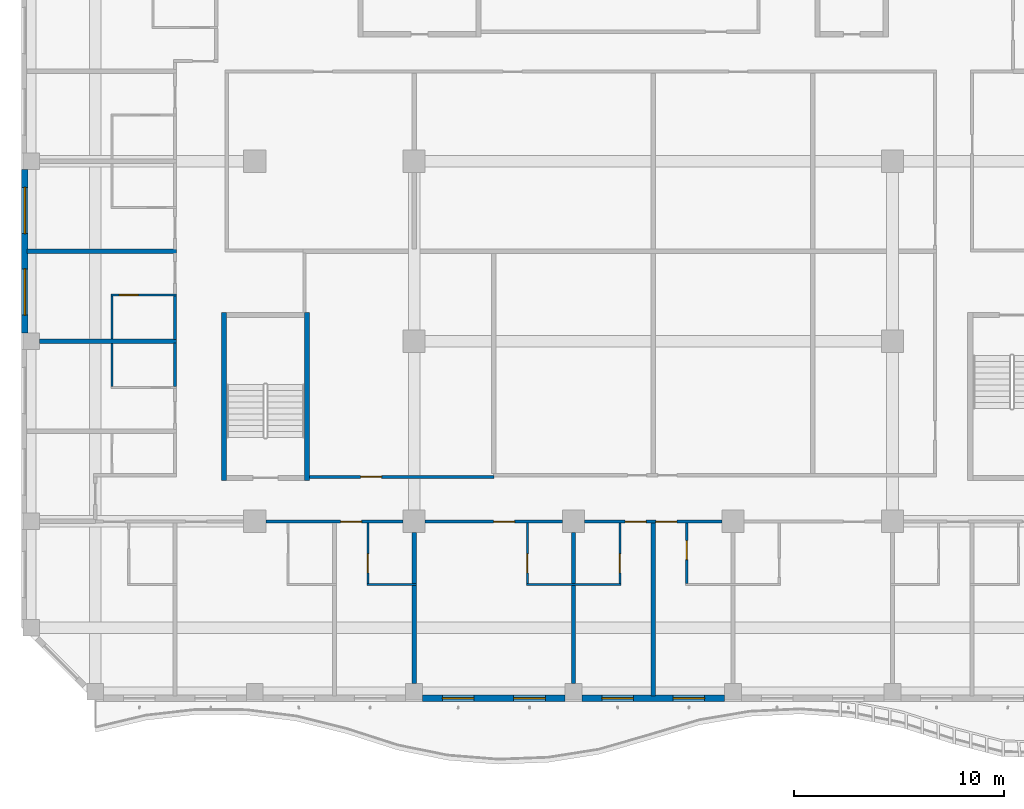
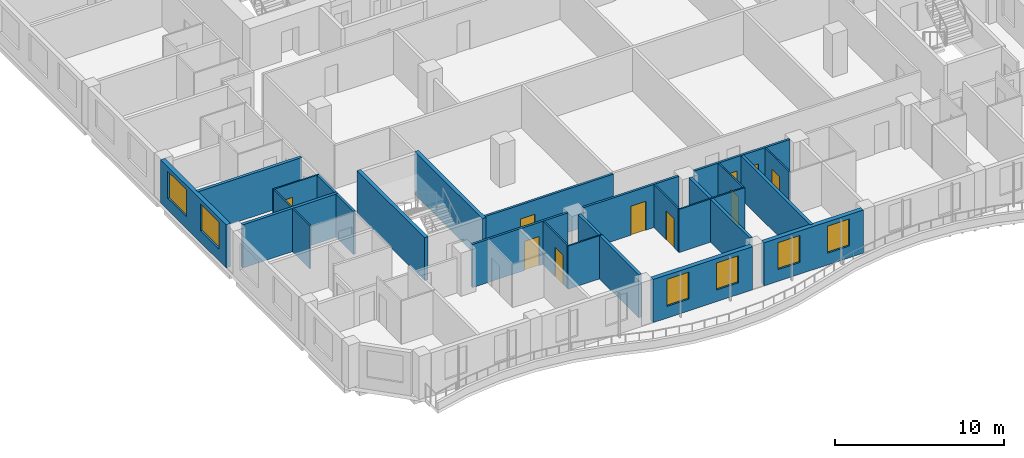
# One storey, part 3 of 23: 27 walls, 10 doors, 6 windows, 16 openings.
"""IFC4 building model written with IfcOpenShell, lengths in metres."""

import ifcopenshell
import ifcopenshell.guid

model = None  # the IFC model being written
_history = None  # IfcOwnerHistory: only IFC2X3 demands one
_inside = {}  # id of a spatial element -> (the spatial element, [elements in it])
_under = {}  # id of a project, library or spatial element -> (it, [spatial elements below it])
_declared = {}  # id of a project -> (the project, [libraries it declares])
_typed = {}  # id of a type object -> (the type object, [elements of that type])
_made_of = {}  # id of a material, layer set ... -> (it, [elements and type objects made of it])


def new_model(schema):
    """Start an empty IFC model of exactly this schema.

    Asked for "IFC4X3", IfcOpenShell would pick the latest addendum, in which some entities
    have other attributes; the version numbers below select the first issue.
    IFC2X3 requires an IfcOwnerHistory on every rooted entity: one is made here for all.
    """
    global model, _history
    if schema == "IFC4X3":
        model = ifcopenshell.file(schema_version=(4, 3, 0, 0))
    else:
        model = ifcopenshell.file(schema=schema)
    _inside.clear()
    _under.clear()
    _declared.clear()
    _typed.clear()
    _made_of.clear()
    _history = None
    if model.schema == "IFC2X3":
        org = make("IfcOrganization", Name="unknown")
        user = make(
            "IfcPersonAndOrganization",
            ThePerson=make("IfcPerson", FamilyName="unknown"),
            TheOrganization=org,
        )
        app = make(
            "IfcApplication",
            ApplicationDeveloper=org,
            Version="unknown",
            ApplicationFullName="unknown",
            ApplicationIdentifier="unknown",
        )
        _history = make(
            "IfcOwnerHistory",
            OwningUser=user,
            OwningApplication=app,
            ChangeAction="ADDED",
            CreationDate=0,
        )
    return model


def make(cls, **values):
    """One entity of the class cls with the attributes given. An attribute that is None is left unset."""
    return model.create_entity(
        cls, **{name: value for name, value in values.items() if value is not None}
    )


def rooted(cls, **values):
    """An entity with a GlobalId (a new one), such as an element, a storey or a relation."""
    return make(cls, GlobalId=ifcopenshell.guid.new(), OwnerHistory=_history, **values)


def si_unit(unit_type, name, prefix=None):
    """IfcSIUnit, for example si_unit("LENGTHUNIT", "METRE", prefix="MILLI")."""
    return make("IfcSIUnit", UnitType=unit_type, Prefix=prefix, Name=name)


def assignment(units):
    """IfcUnitAssignment: the units of a project."""
    return None if units is None else make("IfcUnitAssignment", Units=units)


def point(xyz):
    """IfcCartesianPoint."""
    return None if xyz is None else make("IfcCartesianPoint", Coordinates=xyz)


def direction(xyz):
    """IfcDirection."""
    return None if xyz is None else make("IfcDirection", DirectionRatios=xyz)


def frame(location, z_axis=None, x_axis=None):
    """IfcAxis2Placement3D, a coordinate frame: its origin and axes. An axis left out is left unset."""
    return make(
        "IfcAxis2Placement3D",
        Location=point(location),
        Axis=direction(z_axis),
        RefDirection=direction(x_axis),
    )


def frame_2d(location, x_axis=None):
    """IfcAxis2Placement2D, a coordinate frame in the plane: its origin and x axis."""
    return make(
        "IfcAxis2Placement2D", Location=point(location), RefDirection=direction(x_axis)
    )


def origin():
    """The frame at (0, 0, 0) with its axes left unset."""
    return frame((0.0, 0.0, 0.0))


def place(relative_to, where):
    """IfcLocalPlacement: puts the frame where relative to a parent placement (None: the world)."""
    return make(
        "IfcLocalPlacement", PlacementRelTo=relative_to, RelativePlacement=where
    )


def context(
    kind, dimensions, precision=None, world=None, true_north=None, identifier=None
):
    """IfcGeometricRepresentationContext, for example the 3D "Model" context."""
    return make(
        "IfcGeometricRepresentationContext",
        ContextIdentifier=identifier,
        ContextType=kind,
        CoordinateSpaceDimension=dimensions,
        Precision=precision,
        WorldCoordinateSystem=world,
        TrueNorth=true_north,
    )


def subcontext(parent, identifier, kind, view, scale=None):
    """IfcGeometricRepresentationSubContext, for example "Body" below "Model"."""
    return make(
        "IfcGeometricRepresentationSubContext",
        ContextIdentifier=identifier,
        ContextType=kind,
        ParentContext=parent,
        TargetScale=scale,
        TargetView=view,
    )


def project(units=None, contexts=None):
    """IfcProject with its units and contexts."""
    return rooted(
        "IfcProject",
        Name="project",
        RepresentationContexts=contexts,
        UnitsInContext=assignment(units),
    )


def spatial(cls, under=None, at=None, **own):
    """A site, building, storey or space (cls), placed at a placement, below another one or the project."""
    s = rooted(cls, ObjectPlacement=at, **own)
    if under is not None:
        _under.setdefault(under.id(), (under, []))[1].append(s)
    return s


def profile(cls, at=None, kind="AREA", **sizes):
    """A parametric profile (cls). Its sizes go by their IFC names, for example OverallWidth=200.0."""
    return make(cls, ProfileType=kind, Position=at, **sizes)


def rectangle(**sizes):
    """IfcRectangleProfileDef."""
    return profile("IfcRectangleProfileDef", **sizes)


def extrude(swept, where, along, depth):
    """IfcExtrudedAreaSolid: the profile swept, set in the frame where, extruded along a direction by depth."""
    return make(
        "IfcExtrudedAreaSolid",
        SweptArea=swept,
        Position=where,
        ExtrudedDirection=direction(along),
        Depth=depth,
    )


def shape(context_of_items, identifier, shape_type, items):
    """IfcShapeRepresentation: the items that make up one representation, for example the "Body"."""
    return make(
        "IfcShapeRepresentation",
        ContextOfItems=context_of_items,
        RepresentationIdentifier=identifier,
        RepresentationType=shape_type,
        Items=items,
    )


def source(mapping_origin, context_of_items, identifier, shape_type, items):
    """IfcRepresentationMap: a shape defined once, which mapped items show again and again."""
    return make(
        "IfcRepresentationMap",
        MappingOrigin=mapping_origin,
        MappedRepresentation=shape(context_of_items, identifier, shape_type, items),
    )


def transform(
    local_origin,
    x_axis=None,
    y_axis=None,
    z_axis=None,
    scale=None,
    scale2=None,
    scale3=None,
    uniform=True,
):
    """IfcCartesianTransformationOperator3D, or its non-uniform kind. x_axis, y_axis, z_axis: its Axis1, 2, 3."""
    if uniform:
        return make(
            "IfcCartesianTransformationOperator3D",
            Axis1=direction(x_axis),
            Axis2=direction(y_axis),
            LocalOrigin=point(local_origin),
            Scale=scale,
            Axis3=direction(z_axis),
        )
    return make(
        "IfcCartesianTransformationOperator3DnonUniform",
        Axis1=direction(x_axis),
        Axis2=direction(y_axis),
        LocalOrigin=point(local_origin),
        Scale=scale,
        Axis3=direction(z_axis),
        Scale2=scale2,
        Scale3=scale3,
    )


def mapped(mapping_source, mapping_target):
    """IfcMappedItem: shows the shape of a source again, moved by a transform."""
    return make(
        "IfcMappedItem", MappingSource=mapping_source, MappingTarget=mapping_target
    )


def material(Name=None, Category=None):
    """IfcMaterial."""
    return make("IfcMaterial", Name=Name, Category=Category)


def layer(
    of_material, thickness, ventilated=None, Name=None, Category=None, Priority=None
):
    """IfcMaterialLayer: one layer of a wall or slab, of a material (None: an air gap)."""
    return make(
        "IfcMaterialLayer",
        Material=of_material,
        LayerThickness=thickness,
        IsVentilated=ventilated,
        Name=Name,
        Category=Category,
        Priority=Priority,
    )


def layer_set(layers, Name=None):
    """IfcMaterialLayerSet."""
    return make("IfcMaterialLayerSet", MaterialLayers=layers, LayerSetName=Name)


def made_of(thing, what):
    """Note that an element or type object is made of a material, layer set ...; save() writes the relation."""
    if what is not None:
        _made_of.setdefault(what.id(), (what, []))[1].append(thing)
    return thing


def type_object(cls, material=None, **own):
    """A type object (cls), such as IfcWallType, which elements share."""
    return made_of(rooted(cls, **own), material)


def element(
    cls,
    number,
    at=None,
    inside=None,
    cuts=None,
    type_object=None,
    material=None,
    context=None,
    identifier="Body",
    shape_type=None,
    held_by="IfcProductDefinitionShape",
    body=None,
    shapes=None,
    **own,
):
    """One element of the class cls, such as IfcWall. Its Tag is "e" and its number.

    at: its placement. inside: the storey or other place that contains it. cuts: it is an
    opening in that element (IfcRelVoidsElement). A single representation is given by context,
    identifier, shape_type and body (its items); several are given by shapes. held_by: the class
    of the entity that holds the representations. save() writes the other relations.
    """
    e = rooted(cls, Tag="e%d" % number, ObjectPlacement=at, **own)
    if body is not None:
        shapes = [shape(context, identifier, shape_type, body)]
    if shapes is not None:
        e.Representation = make(held_by, Representations=shapes)
    if inside is not None:
        _inside.setdefault(inside.id(), (inside, []))[1].append(e)
    if cuts is not None:
        rooted(
            "IfcRelVoidsElement", RelatingBuildingElement=cuts, RelatedOpeningElement=e
        )
    if type_object is not None:
        _typed.setdefault(type_object.id(), (type_object, []))[1].append(e)
    return made_of(e, material)


def fill(opening, filler):
    """IfcRelFillsElement: the door or window that sits in an opening."""
    return rooted(
        "IfcRelFillsElement",
        RelatingOpeningElement=opening,
        RelatedBuildingElement=filler,
    )


def aggregate(whole, parts):
    """IfcRelAggregates: a whole, such as a stair, and the parts it consists of."""
    return rooted("IfcRelAggregates", RelatingObject=whole, RelatedObjects=parts)


def save(model, path):
    """Write the relations noted so far, then the file.

    IfcRelAggregates (storeys below a building ...), IfcRelContainedInSpatialStructure (elements
    in a storey), IfcRelDefinesByType, IfcRelAssociatesMaterial and IfcRelDeclares: one each for
    every whole, place, type object, material and project.
    """
    for whole, parts in _under.values():
        aggregate(whole, parts)
    for where, things in _inside.values():
        rooted(
            "IfcRelContainedInSpatialStructure",
            RelatedElements=things,
            RelatingStructure=where,
        )
    for kind, things in _typed.values():
        rooted("IfcRelDefinesByType", RelatedObjects=things, RelatingType=kind)
    for what, things in _made_of.values():
        rooted("IfcRelAssociatesMaterial", RelatedObjects=things, RelatingMaterial=what)
    for by, libraries in _declared.values():
        rooted("IfcRelDeclares", RelatingContext=by, RelatedDefinitions=libraries)
    model.write(path)


model = new_model("IFC4")

# Units and contexts
model_context = context("Model", 3, precision=1e-05, world=origin(), true_north=direction((0.0, 1.0)))
body_context = subcontext(model_context, "Body", "Model", "MODEL_VIEW")
ifc_project = project(units=[si_unit("LENGTHUNIT", "METRE"), si_unit("AREAUNIT", "SQUARE_METRE"), si_unit("VOLUMEUNIT", "CUBIC_METRE"), si_unit("PLANEANGLEUNIT", "RADIAN"), si_unit("MASSUNIT", "GRAM", prefix="KILO")], contexts=[model_context])

# Site, building, storey
site_placement = place(None, origin())
site = spatial("IfcSite", under=ifc_project, at=site_placement, CompositionType="ELEMENT")
building_placement = place(site_placement, origin())
building = spatial("IfcBuilding", under=site, at=building_placement, Name="Kilnfold Tower and Market Hall", CompositionType="ELEMENT")
storey_placement = place(building_placement, frame((0.0, 0.0, 178.699951171875)))
storey = spatial("IfcBuildingStorey", under=building, at=storey_placement, Name="L42", CompositionType="ELEMENT", Elevation=178.699951171875)

# Wall, opening, door
ifc_material_1 = material(Name="Gypsum board on steel studs", Category="steel")
ifc_layer_1 = layer(ifc_material_1, 0.14990234375)
ifc_layer_set_1 = layer_set([ifc_layer_1], Name="Gypsum board on steel studs")
wall_type_1 = type_object("IfcWallType", Name="WALL CORRIDOR 150", PredefinedType="PARTITIONING", material=ifc_layer_set_1)
wall_1_placement = place(storey_placement, frame((-15.64208984375, -17.699951171875, 0.0), z_axis=(0.0, 0.0, 1.0), x_axis=(1.0, 0.0, 0.0)))
wall_1 = element("IfcWall", 1, at=wall_1_placement, inside=storey, type_object=wall_type_1, Name="Partition LY27.2", PredefinedType="PARTITIONING", context=body_context, shape_type="SweptSolid", body=[
    extrude(rectangle(XDim=6.5341796875, YDim=0.14990234375, at=frame_2d((3.26708984375, 0.0))), origin(), (0.0, 0.0, 1.0), 3.1201171875),
])
opening_1_placement = place(wall_1_placement, frame((3.56298828125, 0.0, 0.0)))
opening_1 = element("IfcOpeningElement", 2, at=opening_1_placement, cuts=wall_1, Name="Opening D1", PredefinedType="OPENING", context=body_context, shape_type="SweptSolid", body=[
    extrude(rectangle(XDim=1.0, YDim=2.10009765625, at=frame_2d((0.5, 1.050048828125))), frame((0.0, 0.0849609375, 0.0), z_axis=(0.0, -1.0, 0.0), x_axis=(1.0, 0.0, 0.0)), (0.0, 0.0, 1.0), 0.169921875),
])
ifc_material_2 = material(Name="Timber veneer door leaf in steel frame", Category="steel")
door_type_1 = type_object("IfcDoorType", Name="DOOR ENTRY 1000 X2100", OperationType="NOTDEFINED", PredefinedType="DOOR", material=ifc_material_2)
door_1_placement = place(opening_1_placement, origin())
door_1 = element("IfcDoor", 3, at=door_1_placement, inside=storey, type_object=door_type_1, Name="Door D1", OperationType="SINGLE_SWING_RIGHT", OverallHeight=2.10009765625, OverallWidth=1.0, PredefinedType="DOOR", context=body_context, shape_type="SweptSolid", body=[
    extrude(rectangle(XDim=1.0, YDim=2.10009765625, at=frame_2d((0.5, 1.050048828125))), frame((0.0, 0.02490234375, 0.0), z_axis=(0.0, -1.0, 0.0), x_axis=(1.0, 0.0, 0.0)), (0.0, 0.0, 1.0), 0.050048828125),
])
fill(opening_1, door_1)

wall_2_placement = place(storey_placement, frame((-8.05810546875, -17.699951171875, 0.0), z_axis=(0.0, 0.0, 1.0), x_axis=(1.0, 0.0, 0.0)))
wall_2 = element("IfcWall", 4, at=wall_2_placement, inside=storey, type_object=wall_type_1, Name="Partition LY27.3", PredefinedType="PARTITIONING", context=body_context, shape_type="SweptSolid", body=[
    extrude(rectangle(XDim=6.533203125, YDim=0.14990234375, at=frame_2d((3.2666015625, 0.0))), origin(), (0.0, 0.0, 1.0), 3.1201171875),
])
opening_2_placement = place(wall_2_placement, frame((3.260009765625, 0.0, 0.0)))
opening_2 = element("IfcOpeningElement", 5, at=opening_2_placement, cuts=wall_2, Name="Opening D1", PredefinedType="OPENING", context=body_context, shape_type="SweptSolid", body=[
    extrude(rectangle(XDim=1.0, YDim=2.10009765625, at=frame_2d((0.5, 1.050048828125))), frame((0.0, 0.0849609375, 0.0), z_axis=(0.0, -1.0, 0.0), x_axis=(1.0, 0.0, 0.0)), (0.0, 0.0, 1.0), 0.169921875),
])
door_2_placement = place(opening_2_placement, origin())
door_2 = element("IfcDoor", 6, at=door_2_placement, inside=storey, type_object=door_type_1, Name="Door D1", OperationType="SINGLE_SWING_LEFT", OverallHeight=2.10009765625, OverallWidth=1.0, PredefinedType="DOOR", context=body_context, shape_type="SweptSolid", body=[
    extrude(rectangle(XDim=1.0, YDim=2.10009765625, at=frame_2d((0.5, 1.050048828125))), frame((0.0, 0.02490234375, 0.0), z_axis=(0.0, -1.0, 0.0), x_axis=(1.0, 0.0, 0.0)), (0.0, 0.0, 1.0), 0.050048828125),
])
fill(opening_2, door_2)

# Wall, openings, doors
wall_3_placement = place(storey_placement, frame((-0.47509765625, -17.699951171875, 0.0), z_axis=(0.0, 0.0, 1.0), x_axis=(1.0, 0.0, 0.0)))
wall_3 = element("IfcWall", 7, at=wall_3_placement, inside=storey, type_object=wall_type_1, Name="Partition LY27.4", PredefinedType="PARTITIONING", context=body_context, shape_type="SweptSolid", body=[
    extrude(rectangle(XDim=6.533203125, YDim=0.14990234375, at=frame_2d((3.2666015625, 0.0))), origin(), (0.0, 0.0, 1.0), 3.1201171875),
])
opening_3_placement = place(wall_3_placement, frame((1.926025390625, 0.0, 0.0)))
opening_3 = element("IfcOpeningElement", 8, at=opening_3_placement, cuts=wall_3, Name="Opening D1", PredefinedType="OPENING", context=body_context, shape_type="SweptSolid", body=[
    extrude(rectangle(XDim=1.0, YDim=2.10009765625, at=frame_2d((0.5, 1.050048828125))), frame((0.0, 0.0849609375, 0.0), z_axis=(0.0, -1.0, 0.0), x_axis=(1.0, 0.0, 0.0)), (0.0, 0.0, 1.0), 0.169921875),
])
opening_4_placement = place(wall_3_placement, frame((3.386962890625, 0.0, 0.0)))
opening_4 = element("IfcOpeningElement", 9, at=opening_4_placement, cuts=wall_3, Name="Opening D1", PredefinedType="OPENING", context=body_context, shape_type="SweptSolid", body=[
    extrude(rectangle(XDim=1.0, YDim=2.10009765625, at=frame_2d((0.5, 1.050048828125))), frame((0.0, 0.0849609375, 0.0), z_axis=(0.0, -1.0, 0.0), x_axis=(1.0, 0.0, 0.0)), (0.0, 0.0, 1.0), 0.169921875),
])
door_3_placement = place(opening_3_placement, origin())
door_3 = element("IfcDoor", 10, at=door_3_placement, inside=storey, type_object=door_type_1, Name="Door D1", OperationType="SINGLE_SWING_RIGHT", OverallHeight=2.10009765625, OverallWidth=1.0, PredefinedType="DOOR", context=body_context, shape_type="SweptSolid", body=[
    extrude(rectangle(XDim=1.0, YDim=2.10009765625, at=frame_2d((0.5, 1.050048828125))), frame((0.0, 0.02490234375, 0.0), z_axis=(0.0, -1.0, 0.0), x_axis=(1.0, 0.0, 0.0)), (0.0, 0.0, 1.0), 0.050048828125),
])
fill(opening_3, door_3)
door_4_placement = place(opening_4_placement, origin())
door_4 = element("IfcDoor", 11, at=door_4_placement, inside=storey, type_object=door_type_1, Name="Door D1", OperationType="SINGLE_SWING_LEFT", OverallHeight=2.10009765625, OverallWidth=1.0, PredefinedType="DOOR", context=body_context, shape_type="SweptSolid", body=[
    extrude(rectangle(XDim=1.0, YDim=2.10009765625, at=frame_2d((0.5, 1.050048828125))), frame((0.0, 0.02490234375, 0.0), z_axis=(0.0, -1.0, 0.0), x_axis=(1.0, 0.0, 0.0)), (0.0, 0.0, 1.0), 0.050048828125),
])
fill(opening_4, door_4)

# Walls
for number, where, z_axis, x_axis, name in (
    (12, (-19.958984375, -11.284912109375, 0.0), (0.0, 0.0, 1.0), (0.0, 1.0, 0.0), "Partition LY27.11"),
    (13, (-19.958984375, -9.034912109375, 0.0), (0.0, 0.0, 1.0), (0.0, 1.0, 0.0), "Partition LY27.13"),
):
    element("IfcWall", number, at=place(storey_placement, frame(where, z_axis=z_axis, x_axis=x_axis)), inside=storey, type_object=wall_type_1, Name=name, PredefinedType="PARTITIONING", context=body_context, shape_type="SweptSolid", body=[
        extrude(rectangle(XDim=2.06982421875, YDim=0.14990234375, at=frame_2d((1.034912109375, 0.0))), origin(), (0.0, 0.0, 1.0), 3.1201171875),
    ])

# Wall, opening, door
wall_4_placement = place(storey_placement, frame((-4.781982421875, -15.574951171875, 0.0), z_axis=(0.0, 0.0, 1.0), x_axis=(-1.0, 0.0, 0.0)))
wall_4 = element("IfcWall", 14, at=wall_4_placement, inside=storey, type_object=wall_type_1, Name="Partition LY27.47", PredefinedType="PARTITIONING", context=body_context, shape_type="SweptSolid", body=[
    extrude(rectangle(XDim=8.76806640625, YDim=0.14990234375, at=frame_2d((4.384033203125, 0.0))), origin(), (0.0, 0.0, 1.0), 3.1201171875),
])
opening_5_placement = place(wall_4_placement, frame((5.347900390625, 0.0, 0.0)))
opening_5 = element("IfcOpeningElement", 15, at=opening_5_placement, cuts=wall_4, Name="Opening D4", PredefinedType="OPENING", context=body_context, shape_type="SweptSolid", body=[
    extrude(rectangle(XDim=1.0, YDim=2.10009765625, at=frame_2d((0.5, 1.050048828125))), frame((0.0, 0.0849609375, 0.0), z_axis=(0.0, -1.0, 0.0), x_axis=(1.0, 0.0, 0.0)), (0.0, 0.0, 1.0), 0.169921875),
])
ifc_material_3 = material(Name="Timber veneer door leaf in steel frame", Category="steel")
door_type_2 = type_object("IfcDoorType", Name="DOOR SERVICE 1000 X2100", OperationType="NOTDEFINED", PredefinedType="DOOR", material=ifc_material_3)
door_5_placement = place(opening_5_placement, origin())
door_5 = element("IfcDoor", 16, at=door_5_placement, inside=storey, type_object=door_type_2, Name="Door D4", OperationType="SINGLE_SWING_RIGHT", OverallHeight=2.10009765625, OverallWidth=1.0, PredefinedType="DOOR", context=body_context, shape_type="SweptSolid", body=[
    extrude(rectangle(XDim=1.0, YDim=2.10009765625, at=frame_2d((0.5, 1.050048828125))), frame((0.0, 0.02490234375, 0.0), z_axis=(0.0, -1.0, 0.0), x_axis=(1.0, 0.0, 0.0)), (0.0, 0.0, 1.0), 0.050048828125),
])
fill(opening_5, door_5)

ifc_material_4 = material(Name="Gypsum board on steel studs", Category="steel")
ifc_layer_2 = layer(ifc_material_4, 0.10009765625)
ifc_layer_set_2 = layer_set([ifc_layer_2], Name="Gypsum board on steel studs")
wall_type_2 = type_object("IfcWallType", Name="WALL PARTITION 100", PredefinedType="PARTITIONING", material=ifc_layer_set_2)
wall_5_placement = place(storey_placement, frame((-10.782958984375, -20.652099609375, 0.0), z_axis=(0.0, 0.0, 1.0), x_axis=(0.0, 1.0, 0.0)))
wall_5 = element("IfcWall", 17, at=wall_5_placement, inside=storey, type_object=wall_type_2, Name="Partition LY27.59", PredefinedType="PARTITIONING", context=body_context, shape_type="SweptSolid", body=[
    extrude(rectangle(XDim=2.875, YDim=0.10009765625, at=frame_2d((1.4375, 0.0))), origin(), (0.0, 0.0, 1.0), 3.1201171875),
])
opening_6_placement = place(wall_5_placement, frame((0.514892578125, 0.0, 0.0)))
opening_6 = element("IfcOpeningElement", 18, at=opening_6_placement, cuts=wall_5, Name="Opening D3", PredefinedType="OPENING", context=body_context, shape_type="SweptSolid", body=[
    extrude(rectangle(XDim=0.89990234375, YDim=2.10009765625, at=frame_2d((0.449951171875, 1.050048828125))), frame((0.0, 0.06005859375, 0.0), z_axis=(0.0, -1.0, 0.0), x_axis=(1.0, 0.0, 0.0)), (0.0, 0.0, 1.0), 0.1201171875),
])
ifc_material_5 = material(Name="Timber veneer door leaf in steel frame", Category="steel")
door_type_3 = type_object("IfcDoorType", Name="DOOR WC 900 X2100", OperationType="NOTDEFINED", PredefinedType="DOOR", material=ifc_material_5)
door_6_placement = place(opening_6_placement, origin())
door_6 = element("IfcDoor", 19, at=door_6_placement, inside=storey, type_object=door_type_3, Name="Door D3", OperationType="SINGLE_SWING_RIGHT", OverallHeight=2.10009765625, OverallWidth=0.89990234375, PredefinedType="DOOR", context=body_context, shape_type="SweptSolid", body=[
    extrude(rectangle(XDim=0.89990234375, YDim=2.10009765625, at=frame_2d((0.449951171875, 1.050048828125))), frame((0.0, 0.02490234375, 0.0), z_axis=(0.0, -1.0, 0.0), x_axis=(1.0, 0.0, 0.0)), (0.0, 0.0, 1.0), 0.050048828125),
])
fill(opening_6, door_6)

# Wall
wall_6_placement = place(storey_placement, frame((-10.8330078125, -20.701904296875, 0.0), z_axis=(0.0, 0.0, 1.0), x_axis=(1.0, 0.0, 0.0)))
element("IfcWall", 20, at=wall_6_placement, inside=storey, type_object=wall_type_2, Name="Partition LY27.60", PredefinedType="PARTITIONING", context=body_context, shape_type="SweptSolid", body=[
    extrude(rectangle(XDim=2.35009765625, YDim=0.10009765625, at=frame_2d((1.175048828125, 0.0))), origin(), (0.0, 0.0, 1.0), 3.1201171875),
])

# Wall, opening, door
wall_7_placement = place(storey_placement, frame((-3.199951171875, -20.652099609375, 0.0), z_axis=(0.0, 0.0, 1.0), x_axis=(0.0, 1.0, 0.0)))
wall_7 = element("IfcWall", 21, at=wall_7_placement, inside=storey, type_object=wall_type_2, Name="Partition LY27.63", PredefinedType="PARTITIONING", context=body_context, shape_type="SweptSolid", body=[
    extrude(rectangle(XDim=2.875, YDim=0.10009765625, at=frame_2d((1.4375, 0.0))), origin(), (0.0, 0.0, 1.0), 3.1201171875),
])
opening_7_placement = place(wall_7_placement, frame((0.514892578125, 0.0, 0.0)))
opening_7 = element("IfcOpeningElement", 22, at=opening_7_placement, cuts=wall_7, Name="Opening D3", PredefinedType="OPENING", context=body_context, shape_type="SweptSolid", body=[
    extrude(rectangle(XDim=0.89990234375, YDim=2.10009765625, at=frame_2d((0.449951171875, 1.050048828125))), frame((0.0, 0.06005859375, 0.0), z_axis=(0.0, -1.0, 0.0), x_axis=(1.0, 0.0, 0.0)), (0.0, 0.0, 1.0), 0.1201171875),
])
door_7_placement = place(opening_7_placement, origin())
door_7 = element("IfcDoor", 23, at=door_7_placement, inside=storey, type_object=door_type_3, Name="Door D3", OperationType="SINGLE_SWING_RIGHT", OverallHeight=2.10009765625, OverallWidth=0.89990234375, PredefinedType="DOOR", context=body_context, shape_type="SweptSolid", body=[
    extrude(rectangle(XDim=0.89990234375, YDim=2.10009765625, at=frame_2d((0.449951171875, 1.050048828125))), frame((0.0, 0.02490234375, 0.0), z_axis=(0.0, -1.0, 0.0), x_axis=(1.0, 0.0, 0.0)), (0.0, 0.0, 1.0), 0.050048828125),
])
fill(opening_7, door_7)

# Wall
wall_8_placement = place(storey_placement, frame((-3.25, -20.701904296875, 0.0), z_axis=(0.0, 0.0, 1.0), x_axis=(1.0, 0.0, 0.0)))
element("IfcWall", 24, at=wall_8_placement, inside=storey, type_object=wall_type_2, Name="Partition LY27.64", PredefinedType="PARTITIONING", context=body_context, shape_type="SweptSolid", body=[
    extrude(rectangle(XDim=4.5, YDim=0.10009765625, at=frame_2d((2.25, 0.0))), origin(), (0.0, 0.0, 1.0), 3.1201171875),
])

# Wall, opening, door
wall_9_placement = place(storey_placement, frame((1.199951171875, -17.777099609375, 0.0), z_axis=(0.0, 0.0, 1.0), x_axis=(0.0, -1.0, 0.0)))
wall_9 = element("IfcWall", 25, at=wall_9_placement, inside=storey, type_object=wall_type_2, Name="Partition LY27.67", PredefinedType="PARTITIONING", context=body_context, shape_type="SweptSolid", body=[
    extrude(rectangle(XDim=2.875, YDim=0.10009765625, at=frame_2d((1.4375, 0.0))), origin(), (0.0, 0.0, 1.0), 3.1201171875),
])
opening_8_placement = place(wall_9_placement, frame((1.4599609375, 0.0, 0.0)))
opening_8 = element("IfcOpeningElement", 26, at=opening_8_placement, cuts=wall_9, Name="Opening D3", PredefinedType="OPENING", context=body_context, shape_type="SweptSolid", body=[
    extrude(rectangle(XDim=0.89990234375, YDim=2.10009765625, at=frame_2d((0.449951171875, 1.050048828125))), frame((0.0, 0.06005859375, 0.0), z_axis=(0.0, -1.0, 0.0), x_axis=(1.0, 0.0, 0.0)), (0.0, 0.0, 1.0), 0.1201171875),
])
door_8_placement = place(opening_8_placement, origin())
door_8 = element("IfcDoor", 27, at=door_8_placement, inside=storey, type_object=door_type_3, Name="Door D3", OperationType="SINGLE_SWING_LEFT", OverallHeight=2.10009765625, OverallWidth=0.89990234375, PredefinedType="DOOR", context=body_context, shape_type="SweptSolid", body=[
    extrude(rectangle(XDim=0.89990234375, YDim=2.10009765625, at=frame_2d((0.449951171875, 1.050048828125))), frame((0.0, 0.02490234375, 0.0), z_axis=(0.0, -1.0, 0.0), x_axis=(1.0, 0.0, 0.0)), (0.0, 0.0, 1.0), 0.050048828125),
])
fill(opening_8, door_8)

wall_10_placement = place(storey_placement, frame((4.383056640625, -20.652099609375, 0.0), z_axis=(0.0, 0.0, 1.0), x_axis=(0.0, 1.0, 0.0)))
wall_10 = element("IfcWall", 28, at=wall_10_placement, inside=storey, type_object=wall_type_2, Name="Partition LY27.69", PredefinedType="PARTITIONING", context=body_context, shape_type="SweptSolid", body=[
    extrude(rectangle(XDim=2.875, YDim=0.10009765625, at=frame_2d((1.4375, 0.0))), origin(), (0.0, 0.0, 1.0), 3.1201171875),
])
opening_9_placement = place(wall_10_placement, frame((1.14501953125, 0.0, 0.0)))
opening_9 = element("IfcOpeningElement", 29, at=opening_9_placement, cuts=wall_10, Name="Opening D3", PredefinedType="OPENING", context=body_context, shape_type="SweptSolid", body=[
    extrude(rectangle(XDim=0.89990234375, YDim=2.10009765625, at=frame_2d((0.449951171875, 1.050048828125))), frame((0.0, 0.06005859375, 0.0), z_axis=(0.0, -1.0, 0.0), x_axis=(1.0, 0.0, 0.0)), (0.0, 0.0, 1.0), 0.1201171875),
])
door_9_placement = place(opening_9_placement, origin())
door_9 = element("IfcDoor", 30, at=door_9_placement, inside=storey, type_object=door_type_3, Name="Door D3", OperationType="SINGLE_SWING_RIGHT", OverallHeight=2.10009765625, OverallWidth=0.89990234375, PredefinedType="DOOR", context=body_context, shape_type="SweptSolid", body=[
    extrude(rectangle(XDim=0.89990234375, YDim=2.10009765625, at=frame_2d((0.449951171875, 1.050048828125))), frame((0.0, 0.02490234375, 0.0), z_axis=(0.0, -1.0, 0.0), x_axis=(1.0, 0.0, 0.0)), (0.0, 0.0, 1.0), 0.050048828125),
])
fill(opening_9, door_9)

# Wall
wall_11_placement = place(storey_placement, frame((-22.9609375, -11.27490234375, 0.0), z_axis=(0.0, 0.0, 1.0), x_axis=(0.0, 1.0, 0.0)))
element("IfcWall", 31, at=wall_11_placement, inside=storey, type_object=wall_type_2, Name="Partition LY27.86", PredefinedType="PARTITIONING", context=body_context, shape_type="SweptSolid", body=[
    extrude(rectangle(XDim=2.0498046875, YDim=0.10009765625, at=frame_2d((1.02490234375, 0.0))), origin(), (0.0, 0.0, 1.0), 3.1201171875),
])

# Wall, opening, door
wall_12_placement = place(storey_placement, frame((-23.010986328125, -6.925048828125, 0.0), z_axis=(0.0, 0.0, 1.0), x_axis=(1.0, 0.0, 0.0)))
wall_12 = element("IfcWall", 32, at=wall_12_placement, inside=storey, type_object=wall_type_2, Name="Partition LY27.88", PredefinedType="PARTITIONING", context=body_context, shape_type="SweptSolid", body=[
    extrude(rectangle(XDim=3.125, YDim=0.10009765625, at=frame_2d((1.5625, 0.0))), origin(), (0.0, 0.0, 1.0), 3.1201171875),
])
opening_10_placement = place(wall_12_placement, frame((0.403076171875, 0.0, 0.0)))
opening_10 = element("IfcOpeningElement", 33, at=opening_10_placement, cuts=wall_12, Name="Opening D3", PredefinedType="OPENING", context=body_context, shape_type="SweptSolid", body=[
    extrude(rectangle(XDim=0.89990234375, YDim=2.10009765625, at=frame_2d((0.449951171875, 1.050048828125))), frame((0.0, 0.06005859375, 0.0), z_axis=(0.0, -1.0, 0.0), x_axis=(1.0, 0.0, 0.0)), (0.0, 0.0, 1.0), 0.1201171875),
])
door_10_placement = place(opening_10_placement, origin())
door_10 = element("IfcDoor", 34, at=door_10_placement, inside=storey, type_object=door_type_3, Name="Door D3", OperationType="SINGLE_SWING_LEFT", OverallHeight=2.10009765625, OverallWidth=0.89990234375, PredefinedType="DOOR", context=body_context, shape_type="SweptSolid", body=[
    extrude(rectangle(XDim=0.89990234375, YDim=2.10009765625, at=frame_2d((0.449951171875, 1.050048828125))), frame((0.0, 0.02490234375, 0.0), z_axis=(0.0, -1.0, 0.0), x_axis=(1.0, 0.0, 0.0)), (0.0, 0.0, 1.0), 0.050048828125),
])
fill(opening_10, door_10)

# Walls
wall_13_placement = place(storey_placement, frame((-22.9609375, -9.02490234375, 0.0), z_axis=(0.0, 0.0, 1.0), x_axis=(0.0, 1.0, 0.0)))
element("IfcWall", 35, at=wall_13_placement, inside=storey, type_object=wall_type_2, Name="Partition LY27.89", PredefinedType="PARTITIONING", context=body_context, shape_type="SweptSolid", body=[
    extrude(rectangle(XDim=2.0498046875, YDim=0.10009765625, at=frame_2d((1.02490234375, 0.0))), origin(), (0.0, 0.0, 1.0), 3.1201171875),
])
ifc_material_6 = material(Name="Gypsum board on steel studs", Category="steel")
ifc_layer_3 = layer(ifc_material_6, 0.199951171875)
ifc_layer_set_3 = layer_set([ifc_layer_3], Name="Gypsum board on steel studs")
wall_type_3 = type_object("IfcWallType", Name="WALL PARTY 200", PredefinedType="PARTITIONING", material=ifc_layer_set_3)
wall_14_placement = place(storey_placement, frame((-8.5830078125, -25.39990234375, 0.0), z_axis=(0.0, 0.0, 1.0), x_axis=(0.0, 1.0, 0.0)))
element("IfcWall", 36, at=wall_14_placement, inside=storey, type_object=wall_type_3, Name="Partition LY27.61", PredefinedType="PARTITIONING", context=body_context, shape_type="SweptSolid", body=[
    extrude(rectangle(XDim=4.64794921875, YDim=0.199951171875, at=frame_2d((2.323974609375, 0.0))), origin(), (0.0, 0.0, 1.0), 3.1201171875),
])
wall_15_placement = place(storey_placement, frame((-8.5830078125, -20.652099609375, 0.0), z_axis=(0.0, 0.0, 1.0), x_axis=(0.0, 1.0, 0.0)))
element("IfcWall", 37, at=wall_15_placement, inside=storey, type_object=wall_type_3, Name="Partition LY27.62", PredefinedType="PARTITIONING", context=body_context, shape_type="SweptSolid", body=[
    extrude(rectangle(XDim=2.440185546875, YDim=0.199951171875, at=frame_2d((1.22021484375, 0.0))), origin(), (0.0, 0.0, 1.0), 3.1201171875),
])
wall_16_placement = place(storey_placement, frame((-1.0, -25.39990234375, 0.0), z_axis=(0.0, 0.0, 1.0), x_axis=(0.0, 1.0, 0.0)))
element("IfcWall", 38, at=wall_16_placement, inside=storey, type_object=wall_type_3, Name="Partition LY27.65", PredefinedType="PARTITIONING", context=body_context, shape_type="SweptSolid", body=[
    extrude(rectangle(XDim=4.64794921875, YDim=0.199951171875, at=frame_2d((2.323974609375, 0.0))), origin(), (0.0, 0.0, 1.0), 3.1201171875),
])
wall_17_placement = place(storey_placement, frame((-1.0, -20.652099609375, 0.0), z_axis=(0.0, 0.0, 1.0), x_axis=(0.0, 1.0, 0.0)))
element("IfcWall", 39, at=wall_17_placement, inside=storey, type_object=wall_type_3, Name="Partition LY27.66", PredefinedType="PARTITIONING", context=body_context, shape_type="SweptSolid", body=[
    extrude(rectangle(XDim=2.440185546875, YDim=0.199951171875, at=frame_2d((1.22021484375, 0.0))), origin(), (0.0, 0.0, 1.0), 3.1201171875),
])
wall_18_placement = place(storey_placement, frame((2.7919921875, -26.0, 0.0), z_axis=(0.0, 0.0, 1.0), x_axis=(0.0, 1.0, 0.0)))
element("IfcWall", 40, at=wall_18_placement, inside=storey, type_object=wall_type_3, Name="Partition LY27.68", PredefinedType="PARTITIONING", context=body_context, shape_type="SweptSolid", body=[
    extrude(rectangle(XDim=8.222900390625, YDim=0.199951171875, at=frame_2d((4.111328125, 0.0))), origin(), (0.0, 0.0, 1.0), 3.1201171875),
])
wall_19_placement = place(storey_placement, frame((-26.39990234375, -9.125, 0.0), z_axis=(0.0, 0.0, 1.0), x_axis=(1.0, 0.0, 0.0)))
element("IfcWall", 41, at=wall_19_placement, inside=storey, type_object=wall_type_3, Name="Partition LY27.87", PredefinedType="PARTITIONING", context=body_context, shape_type="SweptSolid", body=[
    extrude(rectangle(XDim=6.513916015625, YDim=0.199951171875, at=frame_2d((3.2568359375, 0.0))), origin(), (0.0, 0.0, 1.0), 3.1201171875),
])
wall_20_placement = place(storey_placement, frame((-27.0, -4.843017578125, 0.0), z_axis=(0.0, 0.0, 1.0), x_axis=(1.0, 0.0, 0.0)))
element("IfcWall", 42, at=wall_20_placement, inside=storey, type_object=wall_type_3, Name="Partition LY27.90", PredefinedType="PARTITIONING", context=body_context, shape_type="SweptSolid", body=[
    extrude(rectangle(XDim=7.114013671875, YDim=0.199951171875, at=frame_2d((3.55712890625, 0.0))), origin(), (0.0, 0.0, 1.0), 3.1201171875),
])
ifc_material_7 = material(Name="Concrete C70", Category="concrete")
ifc_layer_4 = layer(ifc_material_7, 0.25)
ifc_layer_set_4 = layer_set([ifc_layer_4], Name="Concrete C70")
wall_type_4 = type_object("IfcWallType", Name="CORE WALL 250 C70", PredefinedType="SHEAR", material=ifc_layer_set_4)
shared_shape_1 = source(origin(), body_context, "Body", "SweptSolid", [
    extrude(rectangle(XDim=8.0, YDim=0.25, at=frame_2d((4.0, 0.0))), origin(), (0.0, 0.0, 1.0), 3.1201171875),
])
for number, where, z_axis, x_axis, name in (
    (43, (-17.625, -15.75, 0.0), (0.0, 0.0, 1.0), (0.0, 1.0, 0.0), "Stair enclosure ST3"),
    (44, (-13.675048828125, -15.75, 0.0), (0.0, 0.0, 1.0), (0.0, 1.0, 0.0), "Stair enclosure ST3"),
):
    element("IfcWall", number, at=place(storey_placement, frame(where, z_axis=z_axis, x_axis=x_axis)), inside=storey, type_object=wall_type_4, Name=name, PredefinedType="SHEAR", context=body_context, shape_type="MappedRepresentation", body=[
        mapped(shared_shape_1, transform((0.0, 0.0, 0.0))),
    ])

# Wall, openings, windows
ifc_material_8 = material(Name="Precast concrete C50/60", Category="concrete")
ifc_layer_5 = layer(ifc_material_8, 0.300048828125)
ifc_layer_set_5 = layer_set([ifc_layer_5], Name="Precast concrete C50/60")
wall_type_5 = type_object("IfcWallType", Name="PRECAST WALL 300", PredefinedType="SOLIDWALL", material=ifc_layer_set_5)
shared_shape_2 = source(origin(), body_context, "Body", "SweptSolid", [
    extrude(rectangle(XDim=6.783447265625, YDim=0.300048828125, at=frame_2d((3.3916015625, 0.0))), origin(), (0.0, 0.0, 1.0), 3.1201171875),
])
wall_21_placement = place(storey_placement, frame((-8.183349609375, -26.10009765625, 0.0), z_axis=(0.0, 0.0, 1.0), x_axis=(1.0, 0.0, 0.0)))
wall_21 = element("IfcWall", 45, at=wall_21_placement, inside=storey, type_object=wall_type_5, Name="External wall L42 S", PredefinedType="SOLIDWALL", context=body_context, shape_type="MappedRepresentation", body=[
    mapped(shared_shape_2, transform((0.0, 0.0, 0.0))),
])
opening_11_placement = place(wall_21_placement, frame((0.94580078125, 0.0, 0.85009765625)))
opening_11 = element("IfcOpeningElement", 46, at=opening_11_placement, cuts=wall_21, Name="Opening W4", PredefinedType="OPENING", context=body_context, shape_type="SweptSolid", body=[
    extrude(rectangle(XDim=1.5, YDim=1.949951171875, at=frame_2d((0.75, 0.97509765625))), frame((0.0, 0.16015625, 0.0), z_axis=(0.0, -1.0, 0.0), x_axis=(1.0, 0.0, 0.0)), (0.0, 0.0, 1.0), 0.320068359375),
])
opening_12_placement = place(wall_21_placement, frame((4.33740234375, 0.0, 0.85009765625)))
opening_12 = element("IfcOpeningElement", 47, at=opening_12_placement, cuts=wall_21, Name="Opening W4", PredefinedType="OPENING", context=body_context, shape_type="SweptSolid", body=[
    extrude(rectangle(XDim=1.5, YDim=1.949951171875, at=frame_2d((0.75, 0.97509765625))), frame((0.0, 0.16015625, 0.0), z_axis=(0.0, -1.0, 0.0), x_axis=(1.0, 0.0, 0.0)), (0.0, 0.0, 1.0), 0.320068359375),
])
ifc_material_9 = material(Name="Aluminium frame and double glazing", Category="aluminium")
window_type_1 = type_object("IfcWindowType", Name="WINDOW W4 1500X1950", PartitioningType="SINGLE_PANEL", PredefinedType="WINDOW", material=ifc_material_9)
window_1_placement = place(opening_11_placement, origin())
window_1 = element("IfcWindow", 48, at=window_1_placement, inside=storey, type_object=window_type_1, Name="Window W4 L42 S-1", OverallHeight=1.949951171875, OverallWidth=1.5, PartitioningType="SINGLE_PANEL", PredefinedType="WINDOW", context=body_context, shape_type="SweptSolid", body=[
    extrude(rectangle(XDim=1.5, YDim=1.949951171875, at=frame_2d((0.75, 0.97509765625))), frame((0.0, 0.030029296875, 0.0), z_axis=(0.0, -1.0, 0.0), x_axis=(1.0, 0.0, 0.0)), (0.0, 0.0, 1.0), 0.06005859375),
])
fill(opening_11, window_1)
window_2_placement = place(opening_12_placement, origin())
window_2 = element("IfcWindow", 49, at=window_2_placement, inside=storey, type_object=window_type_1, Name="Window W4 L42 S-2", OverallHeight=1.949951171875, OverallWidth=1.5, PartitioningType="SINGLE_PANEL", PredefinedType="WINDOW", context=body_context, shape_type="SweptSolid", body=[
    extrude(rectangle(XDim=1.5, YDim=1.949951171875, at=frame_2d((0.75, 0.97509765625))), frame((0.0, 0.030029296875, 0.0), z_axis=(0.0, -1.0, 0.0), x_axis=(1.0, 0.0, 0.0)), (0.0, 0.0, 1.0), 0.06005859375),
])
fill(opening_12, window_2)

wall_22_placement = place(storey_placement, frame((-0.60009765625, -26.10009765625, 0.0), z_axis=(0.0, 0.0, 1.0), x_axis=(1.0, 0.0, 0.0)))
wall_22 = element("IfcWall", 50, at=wall_22_placement, inside=storey, type_object=wall_type_5, Name="External wall L42 S", PredefinedType="SOLIDWALL", context=body_context, shape_type="MappedRepresentation", body=[
    mapped(shared_shape_2, transform((0.0, 0.0, 0.0))),
])
opening_13_placement = place(wall_22_placement, frame((0.94580078125, 0.0, 0.85009765625)))
opening_13 = element("IfcOpeningElement", 51, at=opening_13_placement, cuts=wall_22, Name="Opening W4", PredefinedType="OPENING", context=body_context, shape_type="SweptSolid", body=[
    extrude(rectangle(XDim=1.5, YDim=1.949951171875, at=frame_2d((0.75, 0.97509765625))), frame((0.0, 0.16015625, 0.0), z_axis=(0.0, -1.0, 0.0), x_axis=(1.0, 0.0, 0.0)), (0.0, 0.0, 1.0), 0.320068359375),
])
opening_14_placement = place(wall_22_placement, frame((4.33740234375, 0.0, 0.85009765625)))
opening_14 = element("IfcOpeningElement", 52, at=opening_14_placement, cuts=wall_22, Name="Opening W4", PredefinedType="OPENING", context=body_context, shape_type="SweptSolid", body=[
    extrude(rectangle(XDim=1.5, YDim=1.949951171875, at=frame_2d((0.75, 0.97509765625))), frame((0.0, 0.16015625, 0.0), z_axis=(0.0, -1.0, 0.0), x_axis=(1.0, 0.0, 0.0)), (0.0, 0.0, 1.0), 0.320068359375),
])
window_3_placement = place(opening_13_placement, origin())
window_3 = element("IfcWindow", 53, at=window_3_placement, inside=storey, type_object=window_type_1, Name="Window W4 L42 S-1", OverallHeight=1.949951171875, OverallWidth=1.5, PartitioningType="SINGLE_PANEL", PredefinedType="WINDOW", context=body_context, shape_type="SweptSolid", body=[
    extrude(rectangle(XDim=1.5, YDim=1.949951171875, at=frame_2d((0.75, 0.97509765625))), frame((0.0, 0.030029296875, 0.0), z_axis=(0.0, -1.0, 0.0), x_axis=(1.0, 0.0, 0.0)), (0.0, 0.0, 1.0), 0.06005859375),
])
fill(opening_13, window_3)
window_4_placement = place(opening_14_placement, origin())
window_4 = element("IfcWindow", 54, at=window_4_placement, inside=storey, type_object=window_type_1, Name="Window W4 L42 S-2", OverallHeight=1.949951171875, OverallWidth=1.5, PartitioningType="SINGLE_PANEL", PredefinedType="WINDOW", context=body_context, shape_type="SweptSolid", body=[
    extrude(rectangle(XDim=1.5, YDim=1.949951171875, at=frame_2d((0.75, 0.97509765625))), frame((0.0, 0.030029296875, 0.0), z_axis=(0.0, -1.0, 0.0), x_axis=(1.0, 0.0, 0.0)), (0.0, 0.0, 1.0), 0.06005859375),
])
fill(opening_14, window_4)

shared_shape_3 = source(origin(), body_context, "Body", "SweptSolid", [
    extrude(rectangle(XDim=7.7626953125, YDim=0.300048828125, at=frame_2d((3.88134765625, 0.0))), origin(), (0.0, 0.0, 1.0), 3.1201171875),
])
wall_23_placement = place(storey_placement, frame((-27.10009765625, -0.96240234375, 0.0), z_axis=(0.0, 0.0, 1.0), x_axis=(0.0, -1.0, 0.0)))
wall_23 = element("IfcWall", 55, at=wall_23_placement, inside=storey, type_object=wall_type_5, Name="External wall L42 W", PredefinedType="SOLIDWALL", context=body_context, shape_type="MappedRepresentation", body=[
    mapped(shared_shape_3, transform((0.0, 0.0, 0.0))),
])
opening_15_placement = place(wall_23_placement, frame((0.8408203125, 0.0, 0.85009765625)))
opening_15 = element("IfcOpeningElement", 56, at=opening_15_placement, cuts=wall_23, Name="Opening W2", PredefinedType="OPENING", context=body_context, shape_type="SweptSolid", body=[
    extrude(rectangle(XDim=2.199951171875, YDim=1.949951171875, at=frame_2d((1.10009765625, 0.97509765625))), frame((0.0, 0.16015625, 0.0), z_axis=(0.0, -1.0, 0.0), x_axis=(1.0, 0.0, 0.0)), (0.0, 0.0, 1.0), 0.320068359375),
])
opening_16_placement = place(wall_23_placement, frame((4.721923828125, 0.0, 0.85009765625)))
opening_16 = element("IfcOpeningElement", 57, at=opening_16_placement, cuts=wall_23, Name="Opening W2", PredefinedType="OPENING", context=body_context, shape_type="SweptSolid", body=[
    extrude(rectangle(XDim=2.199951171875, YDim=1.949951171875, at=frame_2d((1.10009765625, 0.97509765625))), frame((0.0, 0.16015625, 0.0), z_axis=(0.0, -1.0, 0.0), x_axis=(1.0, 0.0, 0.0)), (0.0, 0.0, 1.0), 0.320068359375),
])
ifc_material_10 = material(Name="Aluminium frame and double glazing", Category="aluminium")
window_type_2 = type_object("IfcWindowType", Name="WINDOW W2 2200X1950", PartitioningType="SINGLE_PANEL", PredefinedType="WINDOW", material=ifc_material_10)
window_5_placement = place(opening_15_placement, origin())
window_5 = element("IfcWindow", 58, at=window_5_placement, inside=storey, type_object=window_type_2, Name="Window W2 L42 W-1", OverallHeight=1.949951171875, OverallWidth=2.199951171875, PartitioningType="SINGLE_PANEL", PredefinedType="WINDOW", context=body_context, shape_type="SweptSolid", body=[
    extrude(rectangle(XDim=2.199951171875, YDim=1.949951171875, at=frame_2d((1.10009765625, 0.97509765625))), frame((0.0, 0.030029296875, 0.0), z_axis=(0.0, -1.0, 0.0), x_axis=(1.0, 0.0, 0.0)), (0.0, 0.0, 1.0), 0.06005859375),
])
fill(opening_15, window_5)
window_6_placement = place(opening_16_placement, origin())
window_6 = element("IfcWindow", 59, at=window_6_placement, inside=storey, type_object=window_type_2, Name="Window W2 L42 W-2", OverallHeight=1.949951171875, OverallWidth=2.199951171875, PartitioningType="SINGLE_PANEL", PredefinedType="WINDOW", context=body_context, shape_type="SweptSolid", body=[
    extrude(rectangle(XDim=2.199951171875, YDim=1.949951171875, at=frame_2d((1.10009765625, 0.97509765625))), frame((0.0, 0.030029296875, 0.0), z_axis=(0.0, -1.0, 0.0), x_axis=(1.0, 0.0, 0.0)), (0.0, 0.0, 1.0), 0.06005859375),
])
fill(opening_16, window_6)

save(model, "model.ifc")
